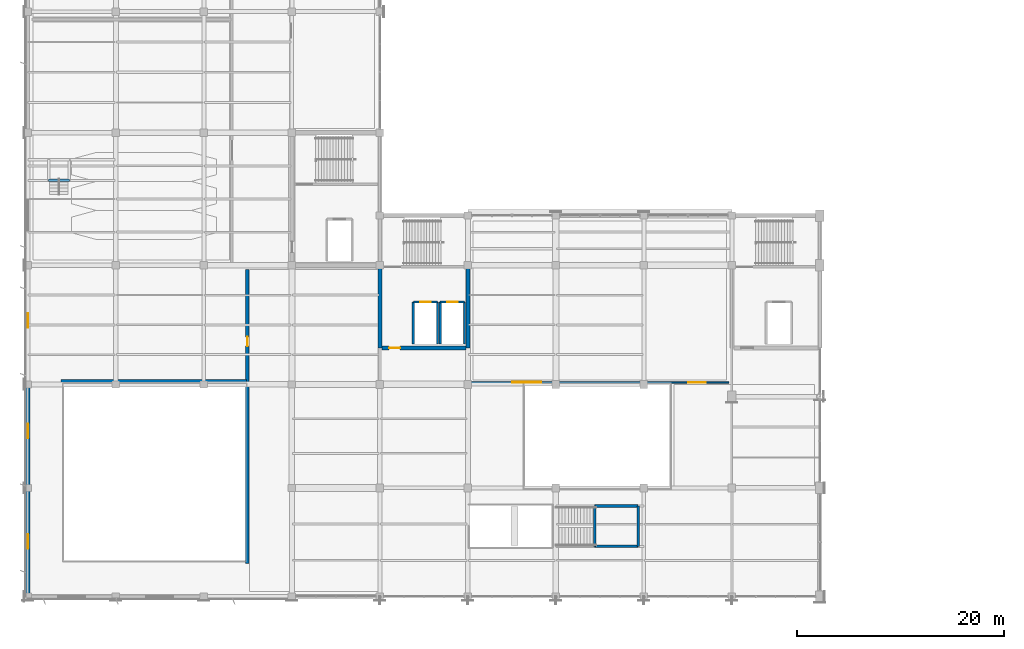
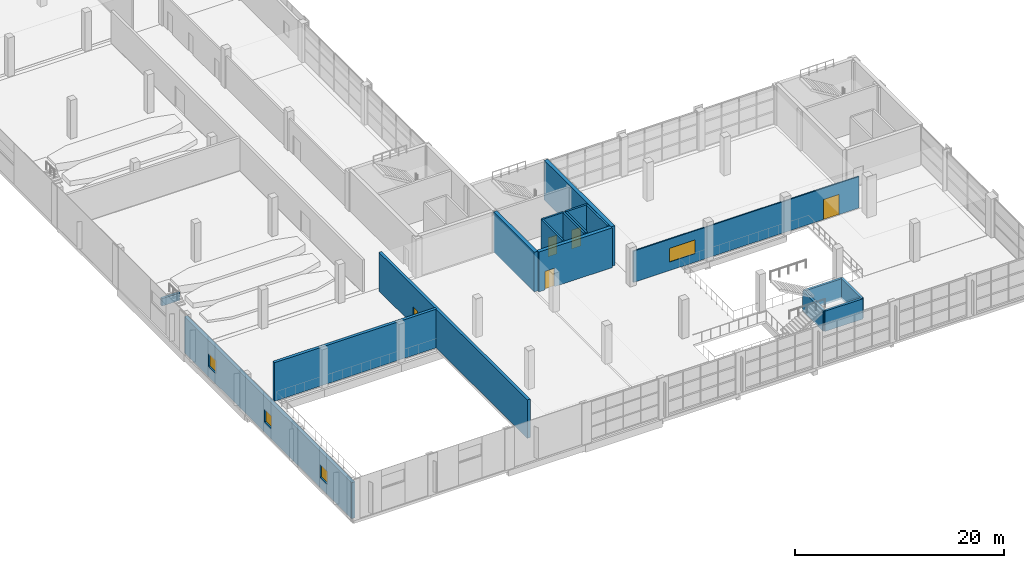
# One storey, part 90 of 112: 18 walls, 5 doors, 4 windows, 9 openings.
"""IFC4 building model written with IfcOpenShell, lengths in metres."""

from ifc_helpers import new_model, si_unit, direction, frame, frame_2d, origin, place, context, subcontext, project, spatial, rectangle, extrude, material, layer, layer_set, type_object, element, fill, save


model = new_model("IFC4")

# Units and contexts
model_context = context("Model", 3, precision=1e-05, world=origin(), true_north=direction((0.0, 1.0)))
body_context = subcontext(model_context, "Body", "Model", "MODEL_VIEW")
ifc_project = project(units=[si_unit("LENGTHUNIT", "METRE"), si_unit("AREAUNIT", "SQUARE_METRE"), si_unit("VOLUMEUNIT", "CUBIC_METRE"), si_unit("PLANEANGLEUNIT", "RADIAN"), si_unit("MASSUNIT", "GRAM", prefix="KILO")], contexts=[model_context])

# Site, building, storey
site_placement = place(None, origin())
site = spatial("IfcSite", under=ifc_project, at=site_placement, CompositionType="ELEMENT")
building_placement = place(site_placement, origin())
building = spatial("IfcBuilding", under=site, at=building_placement, Name="Solvikara Media Centre", CompositionType="ELEMENT")
storey_placement = place(building_placement, frame((0.0, 0.0, 5.39990234375)))
storey = spatial("IfcBuildingStorey", under=building, at=storey_placement, Name="L01", CompositionType="ELEMENT", Elevation=5.39990234375)

# Walls
ifc_material_1 = material(Name="Concrete fc' 45 MPa (C45/55)", Category="concrete")
ifc_layer_1 = layer(ifc_material_1, 0.39990234375)
ifc_layer_set_1 = layer_set([ifc_layer_1], Name="Concrete fc' 45 MPa (C45/55)")
wall_type_1 = type_object("IfcWallType", Name="WT-02", PredefinedType="SHEAR", material=ifc_layer_set_1)
wall_1_placement = place(storey_placement, frame((34.0, 24.0, 0.0), z_axis=(0.0, 0.0, 1.0), x_axis=(0.0, 1.0, 0.0)))
element("IfcWall", 1, at=wall_1_placement, inside=storey, type_object=wall_type_1, Name="CW-C2-L01-W", PredefinedType="SHEAR", context=body_context, shape_type="SweptSolid", body=[
    extrude(rectangle(XDim=7.800048828125, YDim=0.39990234375, at=frame_2d((3.89990234375, 0.0))), origin(), (0.0, 0.0, 1.0), 4.64013671875),
])
wall_2_placement = place(storey_placement, frame((42.5, 24.0, 0.0), z_axis=(0.0, 0.0, 1.0), x_axis=(0.0, 1.0, 0.0)))
element("IfcWall", 2, at=wall_2_placement, inside=storey, type_object=wall_type_1, Name="CW-C2-L01-E", PredefinedType="SHEAR", context=body_context, shape_type="SweptSolid", body=[
    extrude(rectangle(XDim=12.800048828125, YDim=0.39990234375, at=frame_2d((6.39990234375, 0.0))), origin(), (0.0, 0.0, 1.0), 4.64013671875),
])

# Wall, opening, door
wall_3_placement = place(storey_placement, frame((34.199951171875, 24.0, 0.0), z_axis=(0.0, 0.0, 1.0), x_axis=(1.0, 0.0, 0.0)))
wall_3 = element("IfcWall", 3, at=wall_3_placement, inside=storey, type_object=wall_type_1, Name="CW-C2-L01-S", PredefinedType="SHEAR", context=body_context, shape_type="SweptSolid", body=[
    extrude(rectangle(XDim=8.10009765625, YDim=0.39990234375, at=frame_2d((4.050048828125, 0.0))), origin(), (0.0, 0.0, 1.0), 4.64013671875),
])
opening_1_placement = place(wall_3_placement, frame((0.699951171875, 0.0, 0.0)))
opening_1 = element("IfcOpeningElement", 4, at=opening_1_placement, cuts=wall_3, Name="Opening D-C2-L01-LOB", PredefinedType="OPENING", context=body_context, shape_type="SweptSolid", body=[
    extrude(rectangle(XDim=1.050048828125, YDim=2.14990234375, at=frame_2d((0.52490234375, 1.074951171875))), frame((0.0, 0.2119140625, 0.0), z_axis=(0.0, -1.0, 0.0), x_axis=(1.0, 0.0, 0.0)), (0.0, 0.0, 1.0), 0.423828125),
])
ifc_material_2 = material(Name="Insulated fire-rated steel door leaf", Category="steel")
door_type_1 = type_object("IfcDoorType", Name="DT-10", OperationType="NOTDEFINED", PredefinedType="DOOR", material=ifc_material_2)
door_1_placement = place(opening_1_placement, frame((1.050048828125, 0.0, 0.0), z_axis=(0.0, 0.0, 1.0), x_axis=(-1.0, 0.0, 0.0)))
door_1 = element("IfcDoor", 5, at=door_1_placement, inside=storey, type_object=door_type_1, Name="D-C2-L01-LOB", OperationType="SINGLE_SWING_RIGHT", OverallHeight=2.14990234375, OverallWidth=1.050048828125, PredefinedType="DOOR", context=body_context, shape_type="SweptSolid", body=[
    extrude(rectangle(XDim=1.050048828125, YDim=2.14990234375, at=frame_2d((0.52490234375, 1.074951171875))), frame((0.0, 0.02490234375, 0.0), z_axis=(0.0, -1.0, 0.0), x_axis=(1.0, 0.0, 0.0)), (0.0, 0.0, 1.0), 0.050048828125),
])
fill(opening_1, door_1)

ifc_layer_2 = layer(ifc_material_1, 0.320068359375)
ifc_layer_set_2 = layer_set([ifc_layer_2], Name="Concrete fc' 45 MPa (C45/55)")
wall_type_2 = type_object("IfcWallType", Name="WT-04", PredefinedType="SHEAR", material=ifc_layer_set_2)
wall_4_placement = place(storey_placement, frame((21.199951171875, 3.199951171875, 0.0), z_axis=(0.0, 0.0, 1.0), x_axis=(0.0, 1.0, 0.0)))
wall_4 = element("IfcWall", 6, at=wall_4_placement, inside=storey, type_object=wall_type_2, Name="PW-L01-041", PredefinedType="SHEAR", context=body_context, shape_type="SweptSolid", body=[
    extrude(rectangle(XDim=28.400146484375, YDim=0.320068359375, at=frame_2d((14.2001953125, 0.0))), origin(), (0.0, 0.0, 1.0), 4.5),
])
opening_2_placement = place(wall_4_placement, frame((21.0, 0.0, 0.0)))
opening_2 = element("IfcOpeningElement", 7, at=opening_2_placement, cuts=wall_4, Name="Opening D-L01-041-1", PredefinedType="OPENING", context=body_context, shape_type="SweptSolid", body=[
    extrude(rectangle(XDim=0.89990234375, YDim=2.10009765625, at=frame_2d((0.449951171875, 1.050048828125))), frame((0.0, 0.171875, 0.0), z_axis=(0.0, -1.0, 0.0), x_axis=(1.0, 0.0, 0.0)), (0.0, 0.0, 1.0), 0.343994140625),
])
door_type_2 = type_object("IfcDoorType", Name="DT-11", OperationType="NOTDEFINED", PredefinedType="DOOR", material=ifc_material_2)
door_2_placement = place(opening_2_placement, frame((0.89990234375, 0.0, 0.0), z_axis=(0.0, 0.0, 1.0), x_axis=(-1.0, 0.0, 0.0)))
door_2 = element("IfcDoor", 8, at=door_2_placement, inside=storey, type_object=door_type_2, Name="D-L01-041-1", OperationType="SINGLE_SWING_LEFT", OverallHeight=2.10009765625, OverallWidth=0.89990234375, PredefinedType="DOOR", context=body_context, shape_type="SweptSolid", body=[
    extrude(rectangle(XDim=0.89990234375, YDim=2.10009765625, at=frame_2d((0.449951171875, 1.050048828125))), frame((0.0, 0.02490234375, 0.0), z_axis=(0.0, -1.0, 0.0), x_axis=(1.0, 0.0, 0.0)), (0.0, 0.0, 1.0), 0.050048828125),
])
fill(opening_2, door_2)

# Walls
wall_5_placement = place(storey_placement, frame((3.199951171875, 20.800048828125, 0.0), z_axis=(0.0, 0.0, 1.0), x_axis=(1.0, 0.0, 0.0)))
element("IfcWall", 9, at=wall_5_placement, inside=storey, type_object=wall_type_2, Name="PW-L01-042", PredefinedType="SHEAR", context=body_context, shape_type="SweptSolid", body=[
    extrude(rectangle(XDim=17.900146484375, YDim=0.320068359375, at=frame_2d((8.9501953125, 0.0))), origin(), (0.0, 0.0, 1.0), 4.5),
])
ifc_layer_3 = layer(ifc_material_1, 0.25)
ifc_layer_set_3 = layer_set([ifc_layer_3], Name="Concrete fc' 45 MPa (C45/55)")
wall_type_3 = type_object("IfcWallType", Name="WT-07", PredefinedType="STANDARD", material=ifc_layer_set_3)
for number, where, z_axis, x_axis, name in (
    (10, (54.75, 4.85009765625, -0.260009765625), (0.0, 0.0, 1.0), (1.0, 0.0, 0.0), "FW-FOY2-S"),
    (11, (54.75, 8.75, -0.260009765625), (0.0, 0.0, 1.0), (1.0, 0.0, 0.0), "FW-FOY2-N"),
):
    element("IfcWall", number, at=place(storey_placement, frame(where, z_axis=z_axis, x_axis=x_axis)), inside=storey, type_object=wall_type_3, Name=name, PredefinedType="STANDARD", context=body_context, shape_type="SweptSolid", body=[
        extrude(rectangle(XDim=4.199951171875, YDim=0.25, at=frame_2d((2.10009765625, 0.0))), origin(), (0.0, 0.0, 1.0), 2.3701171875),
    ])
for number, where, z_axis, x_axis, name in (
    (12, (58.949951171875, 4.85009765625, -0.260009765625), (0.0, 0.0, 1.0), (0.0, 1.0, 0.0), "FW-FOY2-E"),
    (13, (54.75, 4.85009765625, -0.260009765625), (0.0, 0.0, 1.0), (0.0, 1.0, 0.0), "FW-FOY2-W"),
):
    element("IfcWall", number, at=place(storey_placement, frame(where, z_axis=z_axis, x_axis=x_axis)), inside=storey, type_object=wall_type_3, Name=name, PredefinedType="STANDARD", context=body_context, shape_type="SweptSolid", body=[
        extrude(rectangle(XDim=3.89990234375, YDim=0.25, at=frame_2d((1.949951171875, 0.0))), origin(), (0.0, 0.0, 1.0), 2.3701171875),
    ])
wall_6_placement = place(storey_placement, frame((2.0, 40.199951171875, -0.260009765625), z_axis=(0.0, 0.0, 1.0), x_axis=(1.0, 0.0, 0.0)))
element("IfcWall", 14, at=wall_6_placement, inside=storey, type_object=wall_type_3, Name="VW-ST-MX4-AISLE-1", PredefinedType="STANDARD", context=body_context, shape_type="SweptSolid", body=[
    extrude(rectangle(XDim=2.0, YDim=0.25, at=frame_2d((1.0, 0.0))), origin(), (0.0, 0.0, 1.0), 0.8701171875),
])

# Wall, openings, windows
ifc_material_3 = material(Name="Precast concrete fc' 40 MPa (C40/50)", Category="concrete")
ifc_layer_4 = layer(ifc_material_3, 0.3798828125)
ifc_layer_set_4 = layer_set([ifc_layer_4], Name="Precast concrete fc' 40 MPa (C40/50)")
wall_type_4 = type_object("IfcWallType", Name="WT-08", PredefinedType="STANDARD", material=ifc_layer_set_4)
wall_7_placement = place(storey_placement, frame((0.0, 0.0, 0.0), z_axis=(0.0, 0.0, 1.0), x_axis=(0.0, 1.0, 0.0)))
wall_7 = element("IfcWall", 15, at=wall_7_placement, inside=storey, type_object=wall_type_4, Name="EW-L01-V1-W", PredefinedType="STANDARD", context=body_context, shape_type="SweptSolid", body=[
    extrude(rectangle(XDim=32.0, YDim=0.3798828125, at=frame_2d((16.0, 0.0))), origin(), (0.0, 0.0, 1.0), 4.2080078125),
])
opening_3_placement = place(wall_7_placement, frame((4.633056640625, 0.0, 1.199951171875)))
opening_3 = element("IfcOpeningElement", 16, at=opening_3_placement, cuts=wall_7, Name="Opening W-L01-V1W-W01", PredefinedType="OPENING", context=body_context, shape_type="SweptSolid", body=[
    extrude(rectangle(XDim=1.39990234375, YDim=1.5, at=frame_2d((0.699951171875, 0.75))), frame((0.0, 0.201904296875, 0.0), z_axis=(0.0, -1.0, 0.0), x_axis=(1.0, 0.0, 0.0)), (0.0, 0.0, 1.0), 0.40380859375),
])
opening_4_placement = place(wall_7_placement, frame((15.300048828125, 0.0, 1.199951171875)))
opening_4 = element("IfcOpeningElement", 17, at=opening_4_placement, cuts=wall_7, Name="Opening W-L01-V1W-W02", PredefinedType="OPENING", context=body_context, shape_type="SweptSolid", body=[
    extrude(rectangle(XDim=1.39990234375, YDim=1.5, at=frame_2d((0.699951171875, 0.75))), frame((0.0, 0.201904296875, 0.0), z_axis=(0.0, -1.0, 0.0), x_axis=(1.0, 0.0, 0.0)), (0.0, 0.0, 1.0), 0.40380859375),
])
opening_5_placement = place(wall_7_placement, frame((25.967041015625, 0.0, 1.199951171875)))
opening_5 = element("IfcOpeningElement", 18, at=opening_5_placement, cuts=wall_7, Name="Opening W-L01-V1W-W03", PredefinedType="OPENING", context=body_context, shape_type="SweptSolid", body=[
    extrude(rectangle(XDim=1.39990234375, YDim=1.5, at=frame_2d((0.699951171875, 0.75))), frame((0.0, 0.201904296875, 0.0), z_axis=(0.0, -1.0, 0.0), x_axis=(1.0, 0.0, 0.0)), (0.0, 0.0, 1.0), 0.40380859375),
])
ifc_material_4 = material(Name="Double-glazed low-E architectural glass", Category="glass")
window_type_1 = type_object("IfcWindowType", Name="WN-12", PartitioningType="SINGLE_PANEL", PredefinedType="WINDOW", material=ifc_material_4)
window_1_placement = place(opening_3_placement, origin())
window_1 = element("IfcWindow", 19, at=window_1_placement, inside=storey, type_object=window_type_1, Name="W-L01-V1W-W01", OverallHeight=1.5, OverallWidth=1.39990234375, PartitioningType="SINGLE_PANEL", PredefinedType="WINDOW", context=body_context, shape_type="SweptSolid", body=[
    extrude(rectangle(XDim=1.39990234375, YDim=1.5, at=frame_2d((0.699951171875, 0.75))), frame((0.0, 0.030029296875, 0.0), z_axis=(0.0, -1.0, 0.0), x_axis=(1.0, 0.0, 0.0)), (0.0, 0.0, 1.0), 0.06005859375),
])
fill(opening_3, window_1)
window_2_placement = place(opening_4_placement, origin())
window_2 = element("IfcWindow", 20, at=window_2_placement, inside=storey, type_object=window_type_1, Name="W-L01-V1W-W02", OverallHeight=1.5, OverallWidth=1.39990234375, PartitioningType="SINGLE_PANEL", PredefinedType="WINDOW", context=body_context, shape_type="SweptSolid", body=[
    extrude(rectangle(XDim=1.39990234375, YDim=1.5, at=frame_2d((0.699951171875, 0.75))), frame((0.0, 0.030029296875, 0.0), z_axis=(0.0, -1.0, 0.0), x_axis=(1.0, 0.0, 0.0)), (0.0, 0.0, 1.0), 0.06005859375),
])
fill(opening_4, window_2)
window_3_placement = place(opening_5_placement, origin())
window_3 = element("IfcWindow", 21, at=window_3_placement, inside=storey, type_object=window_type_1, Name="W-L01-V1W-W03", OverallHeight=1.5, OverallWidth=1.39990234375, PartitioningType="SINGLE_PANEL", PredefinedType="WINDOW", context=body_context, shape_type="SweptSolid", body=[
    extrude(rectangle(XDim=1.39990234375, YDim=1.5, at=frame_2d((0.699951171875, 0.75))), frame((0.0, 0.030029296875, 0.0), z_axis=(0.0, -1.0, 0.0), x_axis=(1.0, 0.0, 0.0)), (0.0, 0.0, 1.0), 0.06005859375),
])
fill(opening_5, window_3)

# Walls
ifc_material_5 = material(Name="Fire-rated gypsum and mineral-wool shaft wall assembly")
ifc_layer_5 = layer(ifc_material_5, 0.2099609375)
ifc_layer_set_5 = layer_set([ifc_layer_5], Name="Fire-rated gypsum and mineral-wool shaft wall assembly")
wall_type_5 = type_object("IfcWallType", Name="WT-17", PredefinedType="PARTITIONING", material=ifc_layer_set_5)
for number, where, z_axis, x_axis, name in (
    (22, (37.22998046875, 24.39990234375, 0.0), (0.0, 0.0, 1.0), (0.0, 1.0, 0.0), "LW-LF-P1-L01-W"),
    (23, (39.570068359375, 24.39990234375, 0.0), (0.0, 0.0, 1.0), (0.0, 1.0, 0.0), "LW-LF-P1-L01-E"),
):
    element("IfcWall", number, at=place(storey_placement, frame(where, z_axis=z_axis, x_axis=x_axis)), inside=storey, type_object=wall_type_5, Name=name, PredefinedType="PARTITIONING", context=body_context, shape_type="SweptSolid", body=[
        extrude(rectangle(XDim=4.050048828125, YDim=0.2099609375, at=frame_2d((2.02490234375, 0.0))), origin(), (0.0, 0.0, 1.0), 4.64013671875),
    ])

# Wall, opening, door
wall_8_placement = place(storey_placement, frame((37.22998046875, 28.449951171875, 0.0), z_axis=(0.0, 0.0, 1.0), x_axis=(1.0, 0.0, 0.0)))
wall_8 = element("IfcWall", 24, at=wall_8_placement, inside=storey, type_object=wall_type_5, Name="LW-LF-P1-L01-N", PredefinedType="PARTITIONING", context=body_context, shape_type="SweptSolid", body=[
    extrude(rectangle(XDim=2.340087890625, YDim=0.2099609375, at=frame_2d((1.169921875, 0.0))), origin(), (0.0, 0.0, 1.0), 4.64013671875),
])
opening_6_placement = place(wall_8_placement, frame((0.669921875, 0.0, 0.0)))
opening_6 = element("IfcOpeningElement", 25, at=opening_6_placement, cuts=wall_8, Name="Opening LD-LF-P1-L01", PredefinedType="OPENING", context=body_context, shape_type="SweptSolid", body=[
    extrude(rectangle(XDim=1.0, YDim=2.199951171875, at=frame_2d((0.5, 1.10009765625))), frame((0.0, 0.116943359375, 0.0), z_axis=(0.0, -1.0, 0.0), x_axis=(1.0, 0.0, 0.0)), (0.0, 0.0, 1.0), 0.23388671875),
])
door_type_3 = type_object("IfcDoorType", Name="LD-02", OperationType="DOUBLE_DOOR_SLIDING", PredefinedType="DOOR", material=ifc_material_2)
door_3_placement = place(opening_6_placement, origin())
door_3 = element("IfcDoor", 26, at=door_3_placement, inside=storey, type_object=door_type_3, Name="LD-LF-P1-L01", OperationType="DOUBLE_DOOR_SLIDING", OverallHeight=2.199951171875, OverallWidth=1.0, PredefinedType="DOOR", context=body_context, shape_type="SweptSolid", body=[
    extrude(rectangle(XDim=1.0, YDim=2.199951171875, at=frame_2d((0.5, 1.10009765625))), frame((0.0, 0.02490234375, 0.0), z_axis=(0.0, -1.0, 0.0), x_axis=(1.0, 0.0, 0.0)), (0.0, 0.0, 1.0), 0.050048828125),
])
fill(opening_6, door_3)

# Walls
for number, where, z_axis, x_axis, name in (
    (27, (39.830078125, 24.39990234375, 0.0), (0.0, 0.0, 1.0), (0.0, 1.0, 0.0), "LW-LF-P2-L01-W"),
    (28, (42.169921875, 24.39990234375, 0.0), (0.0, 0.0, 1.0), (0.0, 1.0, 0.0), "LW-LF-P2-L01-E"),
):
    element("IfcWall", number, at=place(storey_placement, frame(where, z_axis=z_axis, x_axis=x_axis)), inside=storey, type_object=wall_type_5, Name=name, PredefinedType="PARTITIONING", context=body_context, shape_type="SweptSolid", body=[
        extrude(rectangle(XDim=4.050048828125, YDim=0.2099609375, at=frame_2d((2.02490234375, 0.0))), origin(), (0.0, 0.0, 1.0), 4.64013671875),
    ])

# Wall, opening, door
wall_9_placement = place(storey_placement, frame((39.830078125, 28.449951171875, 0.0), z_axis=(0.0, 0.0, 1.0), x_axis=(1.0, 0.0, 0.0)))
wall_9 = element("IfcWall", 29, at=wall_9_placement, inside=storey, type_object=wall_type_5, Name="LW-LF-P2-L01-N", PredefinedType="PARTITIONING", context=body_context, shape_type="SweptSolid", body=[
    extrude(rectangle(XDim=2.33984375, YDim=0.2099609375, at=frame_2d((1.169921875, 0.0))), origin(), (0.0, 0.0, 1.0), 4.64013671875),
])
opening_7_placement = place(wall_9_placement, frame((0.669921875, 0.0, 0.0)))
opening_7 = element("IfcOpeningElement", 30, at=opening_7_placement, cuts=wall_9, Name="Opening LD-LF-P2-L01", PredefinedType="OPENING", context=body_context, shape_type="SweptSolid", body=[
    extrude(rectangle(XDim=1.0, YDim=2.199951171875, at=frame_2d((0.5, 1.10009765625))), frame((0.0, 0.116943359375, 0.0), z_axis=(0.0, -1.0, 0.0), x_axis=(1.0, 0.0, 0.0)), (0.0, 0.0, 1.0), 0.23388671875),
])
door_4_placement = place(opening_7_placement, origin())
door_4 = element("IfcDoor", 31, at=door_4_placement, inside=storey, type_object=door_type_3, Name="LD-LF-P2-L01", OperationType="DOUBLE_DOOR_SLIDING", OverallHeight=2.199951171875, OverallWidth=1.0, PredefinedType="DOOR", context=body_context, shape_type="SweptSolid", body=[
    extrude(rectangle(XDim=1.0, YDim=2.199951171875, at=frame_2d((0.5, 1.10009765625))), frame((0.0, 0.02490234375, 0.0), z_axis=(0.0, -1.0, 0.0), x_axis=(1.0, 0.0, 0.0)), (0.0, 0.0, 1.0), 0.050048828125),
])
fill(opening_7, door_4)

# Wall, openings, door, window
ifc_material_6 = material(Name="Double-stud acoustic gypsum partition assembly")
ifc_layer_6 = layer(ifc_material_6, 0.139892578125)
ifc_layer_set_6 = layer_set([ifc_layer_6], Name="Double-stud acoustic gypsum partition assembly")
wall_type_6 = type_object("IfcWallType", Name="WT-20", PredefinedType="PARTITIONING", material=ifc_layer_set_6)
wall_10_placement = place(storey_placement, frame((42.800048828125, 20.699951171875, 0.0), z_axis=(0.0, 0.0, 1.0), x_axis=(1.0, 0.0, 0.0)))
wall_10 = element("IfcWall", 32, at=wall_10_placement, inside=storey, type_object=wall_type_6, Name="PW-L01-048", PredefinedType="PARTITIONING", context=body_context, shape_type="SweptSolid", body=[
    extrude(rectangle(XDim=24.89990234375, YDim=0.139892578125, at=frame_2d((12.449951171875, 0.0))), origin(), (0.0, 0.0, 1.0), 3.66015625),
])
opening_8_placement = place(wall_10_placement, frame((21.0, 0.0, 0.0)))
opening_8 = element("IfcOpeningElement", 33, at=opening_8_placement, cuts=wall_10, Name="Opening D-L01-048-1", PredefinedType="OPENING", context=body_context, shape_type="SweptSolid", body=[
    extrude(rectangle(XDim=1.699951171875, YDim=2.35009765625, at=frame_2d((0.85009765625, 1.175048828125))), frame((0.0, 0.08203125, 0.0), z_axis=(0.0, -1.0, 0.0), x_axis=(1.0, 0.0, 0.0)), (0.0, 0.0, 1.0), 0.163818359375),
])
opening_9_placement = place(wall_10_placement, frame((4.0, 0.0, 1.0)))
opening_9 = element("IfcOpeningElement", 34, at=opening_9_placement, cuts=wall_10, Name="Opening WI-L01-048-1", PredefinedType="OPENING", context=body_context, shape_type="SweptSolid", body=[
    extrude(rectangle(XDim=2.800048828125, YDim=1.60009765625, at=frame_2d((1.39990234375, 0.800048828125))), frame((0.0, 0.08203125, 0.0), z_axis=(0.0, -1.0, 0.0), x_axis=(1.0, 0.0, 0.0)), (0.0, 0.0, 1.0), 0.163818359375),
])
ifc_material_7 = material(Name="Anodised aluminium EN AW-6063", Category="aluminium")
door_type_4 = type_object("IfcDoorType", Name="DT-21", OperationType="DOUBLE_DOOR_SINGLE_SWING", PredefinedType="DOOR", material=ifc_material_7)
door_5_placement = place(opening_8_placement, origin())
door_5 = element("IfcDoor", 35, at=door_5_placement, inside=storey, type_object=door_type_4, Name="D-L01-048-1", OperationType="DOUBLE_DOOR_SINGLE_SWING", OverallHeight=2.35009765625, OverallWidth=1.699951171875, PredefinedType="DOOR", context=body_context, shape_type="SweptSolid", body=[
    extrude(rectangle(XDim=1.699951171875, YDim=2.35009765625, at=frame_2d((0.85009765625, 1.175048828125))), frame((0.0, 0.02490234375, 0.0), z_axis=(0.0, -1.0, 0.0), x_axis=(1.0, 0.0, 0.0)), (0.0, 0.0, 1.0), 0.050048828125),
])
fill(opening_8, door_5)
window_type_2 = type_object("IfcWindowType", Name="WN-16", PartitioningType="SINGLE_PANEL", PredefinedType="WINDOW", material=ifc_material_4)
window_4_placement = place(opening_9_placement, origin())
window_4 = element("IfcWindow", 36, at=window_4_placement, inside=storey, type_object=window_type_2, Name="WI-L01-048-1", OverallHeight=1.60009765625, OverallWidth=2.800048828125, PartitioningType="SINGLE_PANEL", PredefinedType="WINDOW", context=body_context, shape_type="SweptSolid", body=[
    extrude(rectangle(XDim=2.800048828125, YDim=1.60009765625, at=frame_2d((1.39990234375, 0.800048828125))), frame((0.0, 0.030029296875, 0.0), z_axis=(0.0, -1.0, 0.0), x_axis=(1.0, 0.0, 0.0)), (0.0, 0.0, 1.0), 0.06005859375),
])
fill(opening_9, window_4)

save(model, "model.ifc")
